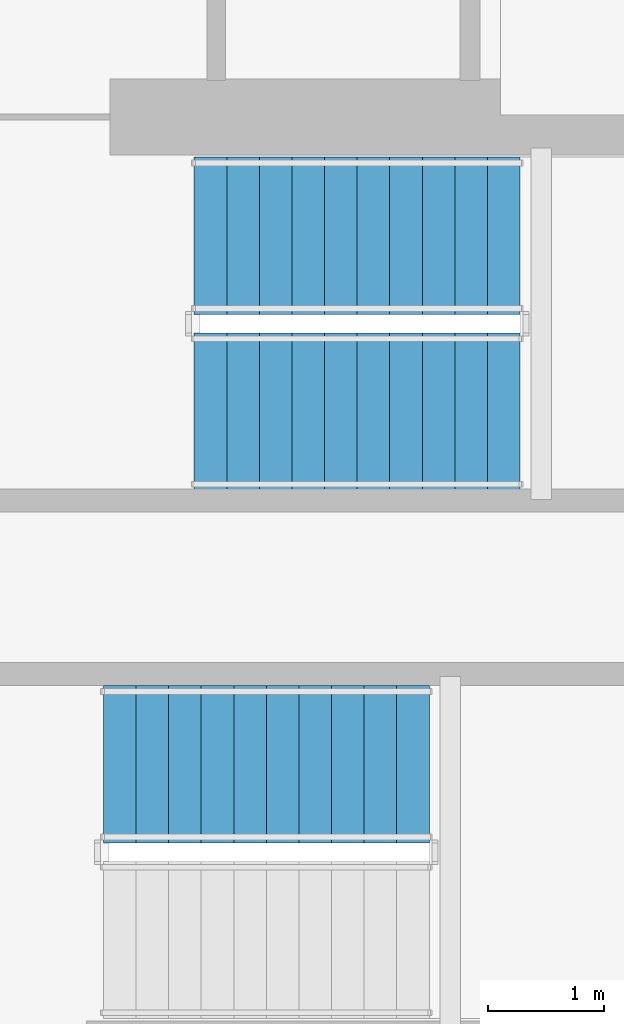
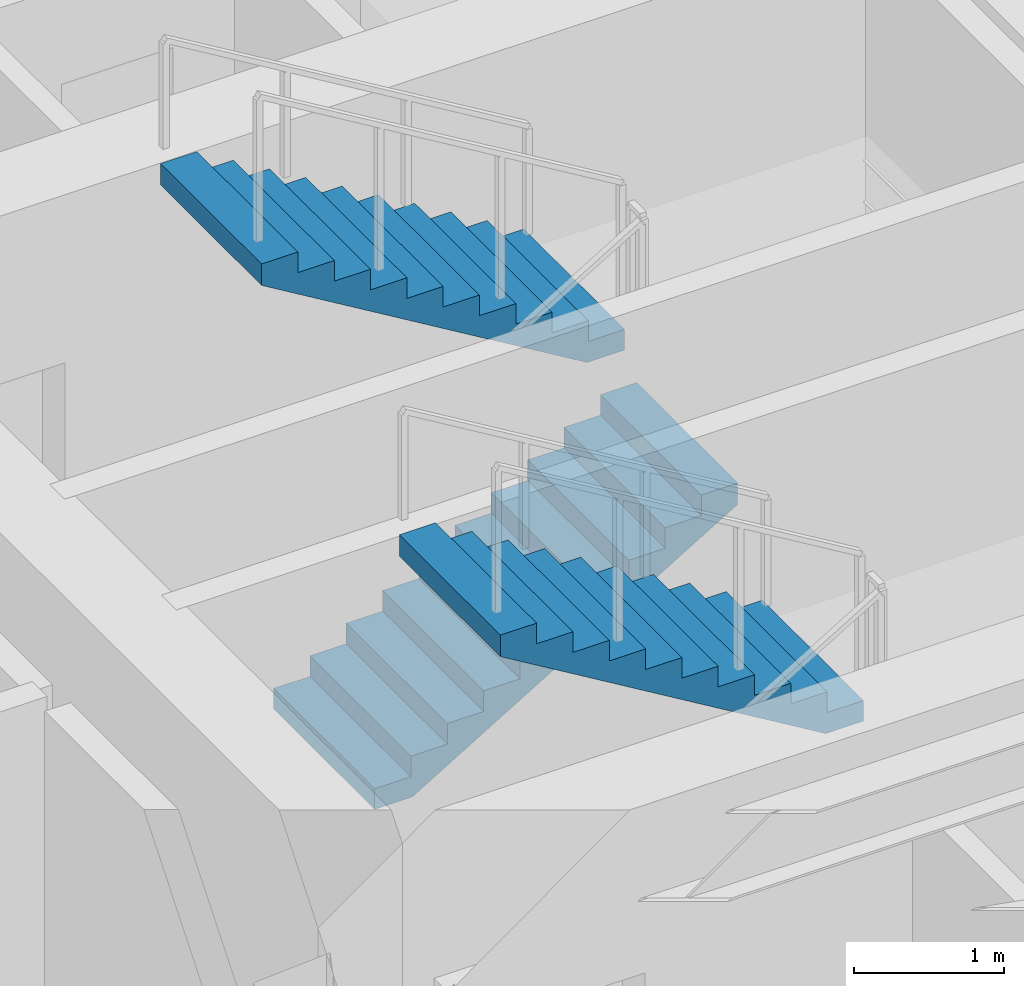
# One storey, part 19 of 23: 3 stair flights, 2 elements without a shape of their own.
"""IFC4 building model written with IfcOpenShell, lengths in metres."""

from ifc_helpers import new_model, si_unit, direction, frame, origin, place, context, subcontext, project, spatial, polyline, outline, extrude, material, type_object, element, aggregate, save


model = new_model("IFC4")

# Units and contexts
model_context = context("Model", 3, precision=1e-05, world=origin(), true_north=direction((0.0, 1.0)))
body_context = subcontext(model_context, "Body", "Model", "MODEL_VIEW")
ifc_project = project(units=[si_unit("LENGTHUNIT", "METRE"), si_unit("AREAUNIT", "SQUARE_METRE"), si_unit("VOLUMEUNIT", "CUBIC_METRE"), si_unit("PLANEANGLEUNIT", "RADIAN"), si_unit("MASSUNIT", "GRAM", prefix="KILO")], contexts=[model_context])

# Site, building, storey
site_placement = place(None, origin())
site = spatial("IfcSite", under=ifc_project, at=site_placement, CompositionType="ELEMENT")
building_placement = place(site_placement, origin())
building = spatial("IfcBuilding", under=site, at=building_placement, Name="Qianvela Tower", CompositionType="ELEMENT")
storey_placement = place(building_placement, frame((0.0, 0.0, 33.10009765625)))
storey = spatial("IfcBuildingStorey", under=building, at=storey_placement, Name="L07", CompositionType="ELEMENT", Elevation=33.10009765625)

# Stair, stair flights
ifc_material_1 = material(Name="Concrete C40", Category="concrete")
stair_type = type_object("IfcStairType", Name="ST-DOGLEG-1350-R168-N22", PredefinedType="HALF_TURN_STAIR", material=ifc_material_1)
stair_1_placement = place(storey_placement, origin())
stair_1 = element("IfcStair", 1, at=stair_1_placement, inside=storey, type_object=stair_type, Name="L07 Smoke-Proof Core Stair ST-1", PredefinedType="HALF_TURN_STAIR")
ifc_material_2 = material(Name="Concrete C40", Category="concrete")
stair_flight_type = type_object("IfcStairFlightType", Name="STF-STRAIGHT-R168-P11", PredefinedType="STRAIGHT", material=ifc_material_2)
stair_flight_1_placement = place(storey_placement, frame((32.199951171875, 30.215087890625, 0.0), z_axis=(0.0, 0.0, 1.0), x_axis=(1.0, 0.0, 0.0)))
stair_flight_1 = element("IfcStairFlight", 2, at=stair_flight_1_placement, type_object=stair_flight_type, Name="ST-1 flight 1", NumberOfRisers=11, NumberOfTreads=10, PredefinedType="STRAIGHT", RiserHeight=0.168181818, TreadLength=0.28, context=body_context, shape_type="SweptSolid", body=[
    extrude(outline(polyline([(0.0, 0.0), (0.0, 0.168212890625), (0.280029296875, 0.168212890625), (0.280029296875, 0.33642578125), (0.56005859375, 0.33642578125), (0.56005859375, 0.504638671875), (0.840087890625, 0.504638671875), (0.840087890625, 0.672607421875), (1.1201171875, 0.672607421875), (1.1201171875, 0.8408203125), (1.39990234375, 0.8408203125), (1.39990234375, 1.009033203125), (1.679931640625, 1.009033203125), (1.679931640625, 1.17724609375), (1.9599609375, 1.17724609375), (1.9599609375, 1.345458984375), (2.239990234375, 1.345458984375), (2.239990234375, 1.513671875), (2.52001953125, 1.513671875), (2.52001953125, 1.681884765625), (2.800048828125, 1.681884765625), (2.800048828125, 1.85009765625), (2.800048828125, 1.5068359375), (0.291015625, 0.0), (0.0, 0.0)])), frame((0.0, 0.675048828125, 0.0), z_axis=(0.0, -1.0, 0.0), x_axis=(1.0, 0.0, 0.0)), (0.0, 0.0, 1.0), 1.35009765625),
])
stair_flight_2_placement = place(storey_placement, frame((35.0, 31.72509765625, 1.849853515625), z_axis=(0.0, 0.0, 1.0), x_axis=(-1.0, 0.0, 0.0)))
stair_flight_2 = element("IfcStairFlight", 3, at=stair_flight_2_placement, type_object=stair_flight_type, Name="ST-1 flight 2", NumberOfRisers=11, NumberOfTreads=10, PredefinedType="STRAIGHT", RiserHeight=0.168181818, TreadLength=0.28, context=body_context, shape_type="SweptSolid", body=[
    extrude(outline(polyline([(0.0, 0.0), (0.0, 0.168212890625), (0.280029296875, 0.168212890625), (0.280029296875, 0.33642578125), (0.56005859375, 0.33642578125), (0.56005859375, 0.504638671875), (0.840087890625, 0.504638671875), (0.840087890625, 0.672607421875), (1.1201171875, 0.672607421875), (1.1201171875, 0.8408203125), (1.39990234375, 0.8408203125), (1.39990234375, 1.009033203125), (1.679931640625, 1.009033203125), (1.679931640625, 1.17724609375), (1.9599609375, 1.17724609375), (1.9599609375, 1.345458984375), (2.239990234375, 1.345458984375), (2.239990234375, 1.513671875), (2.52001953125, 1.513671875), (2.52001953125, 1.681884765625), (2.800048828125, 1.681884765625), (2.800048828125, 1.85009765625), (2.800048828125, 1.5068359375), (0.291015625, 0.0), (0.0, 0.0)])), frame((0.0, 0.675048828125, 0.0), z_axis=(0.0, -1.0, 0.0), x_axis=(1.0, 0.0, 0.0)), (0.0, 0.0, 1.0), 1.35009765625),
])
aggregate(stair_1, [stair_flight_1, stair_flight_2])

# Stair, stair flight
stair_2_placement = place(storey_placement, origin())
stair_2 = element("IfcStair", 4, at=stair_2_placement, inside=storey, type_object=stair_type, Name="L07 Smoke-Proof Core Stair ST-2", PredefinedType="HALF_TURN_STAIR")
stair_flight_3_placement = place(storey_placement, frame((34.219970703125, 27.18505859375, 1.849853515625), z_axis=(0.0, 0.0, 1.0), x_axis=(-1.0, 0.0, 0.0)))
stair_flight_3 = element("IfcStairFlight", 5, at=stair_flight_3_placement, type_object=stair_flight_type, Name="ST-2 flight 2", NumberOfRisers=11, NumberOfTreads=10, PredefinedType="STRAIGHT", RiserHeight=0.168181818, TreadLength=0.28, context=body_context, shape_type="SweptSolid", body=[
    extrude(outline(polyline([(0.0, 0.0), (0.0, 0.168212890625), (0.280029296875, 0.168212890625), (0.280029296875, 0.33642578125), (0.56005859375, 0.33642578125), (0.56005859375, 0.504638671875), (0.840087890625, 0.504638671875), (0.840087890625, 0.672607421875), (1.1201171875, 0.672607421875), (1.1201171875, 0.8408203125), (1.39990234375, 0.8408203125), (1.39990234375, 1.009033203125), (1.679931640625, 1.009033203125), (1.679931640625, 1.17724609375), (1.9599609375, 1.17724609375), (1.9599609375, 1.345458984375), (2.239990234375, 1.345458984375), (2.239990234375, 1.513671875), (2.52001953125, 1.513671875), (2.52001953125, 1.681884765625), (2.800048828125, 1.681884765625), (2.800048828125, 1.85009765625), (2.800048828125, 1.5068359375), (0.291015625, 0.0), (0.0, 0.0)])), frame((0.0, 0.675048828125, 0.0), z_axis=(0.0, -1.0, 0.0), x_axis=(1.0, 0.0, 0.0)), (0.0, 0.0, 1.0), 1.35009765625),
])
aggregate(stair_2, [stair_flight_3])

save(model, "model.ifc")
